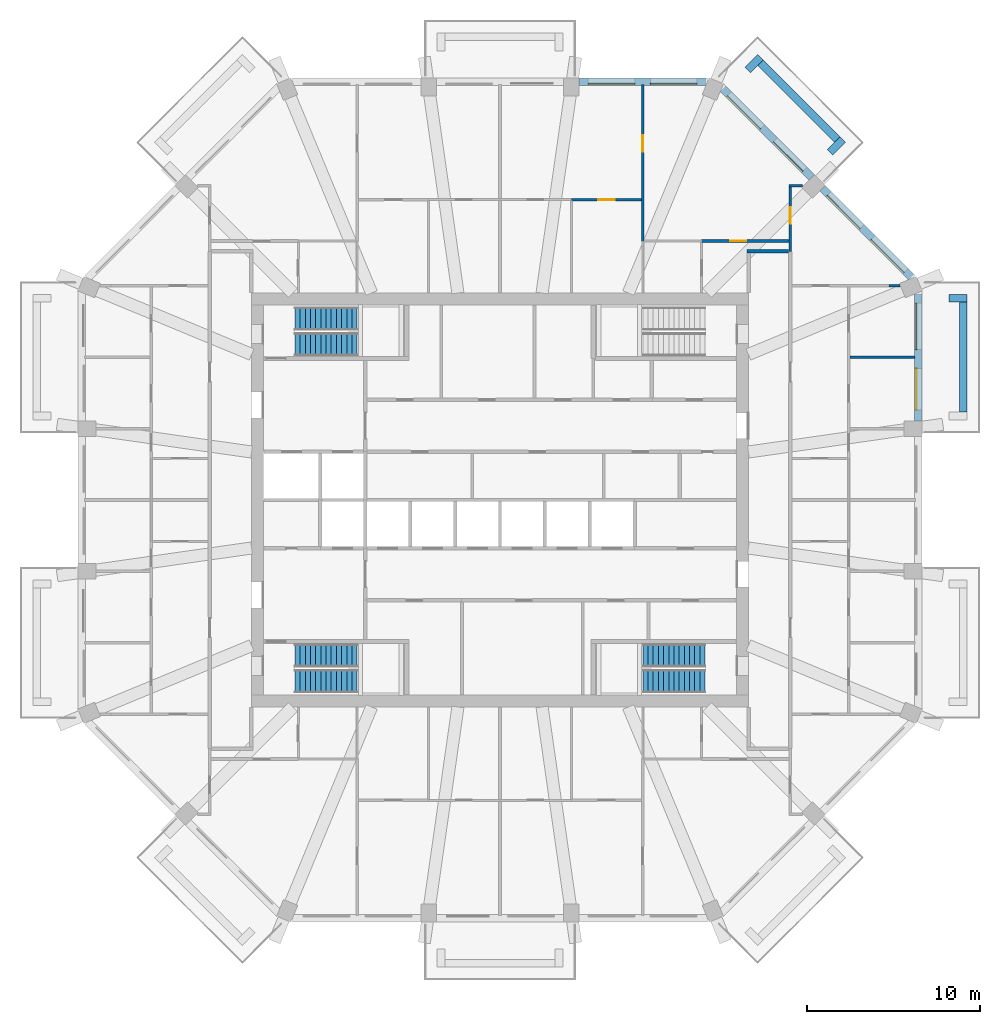
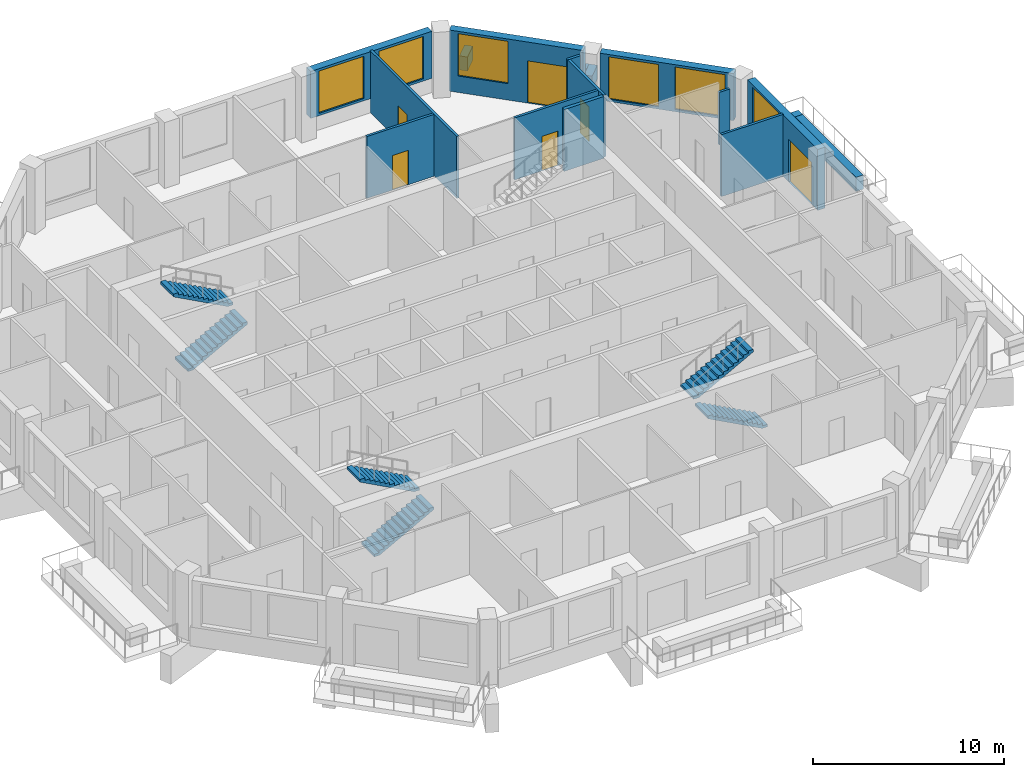
# One storey, part 9 of 12: 17 walls, 6 doors, 6 stair flights, 6 windows, 12 openings, 3 elements without a shape of their own.
"""IFC4 building model written with IfcOpenShell, lengths in metres."""

from ifc_helpers import new_model, si_unit, direction, frame, frame_2d, origin, place, context, subcontext, project, spatial, polyline, rectangle, outline, extrude, material, layer, layer_set, type_object, element, fill, aggregate, save


model = new_model("IFC4")

# Units and contexts
model_context = context("Model", 3, precision=1e-05, world=origin(), true_north=direction((0.0, 1.0)))
body_context = subcontext(model_context, "Body", "Model", "MODEL_VIEW")
ifc_project = project(units=[si_unit("LENGTHUNIT", "METRE"), si_unit("AREAUNIT", "SQUARE_METRE"), si_unit("VOLUMEUNIT", "CUBIC_METRE"), si_unit("PLANEANGLEUNIT", "RADIAN"), si_unit("MASSUNIT", "GRAM", prefix="KILO")], contexts=[model_context])

# Site, building, storey
site_placement = place(None, origin())
site = spatial("IfcSite", under=ifc_project, at=site_placement, CompositionType="ELEMENT")
building_placement = place(site_placement, origin())
building = spatial("IfcBuilding", under=site, at=building_placement, Name="Msitu Wima Residences", CompositionType="ELEMENT")
storey_placement = place(building_placement, frame((0.0, 0.0, 162.300048828125)))
storey = spatial("IfcBuildingStorey", under=building, at=storey_placement, Name="L37", CompositionType="ELEMENT", Elevation=162.300048828125)

# Walls
ifc_material_1 = material(Name="Facing brick")
ifc_layer_1 = layer(ifc_material_1, 0.06494140625, Name="Facing brick")
ifc_material_2 = material(Name="Concrete C40/50", Category="concrete")
ifc_layer_2 = layer(ifc_material_2, 0.156005859375, Name="Concrete C40/50")
ifc_material_3 = material(Name="Waterproofing membrane")
ifc_layer_3 = layer(ifc_material_3, 0.00390625, Name="Waterproofing membrane")
ifc_material_4 = material(Name="Planting soil and planting")
ifc_layer_4 = layer(ifc_material_4, 0.22509765625, Name="Planting soil and planting")
ifc_layer_set_1 = layer_set([ifc_layer_1, ifc_layer_2, ifc_layer_3, ifc_layer_4], Name="Concrete C40/50")
wall_type_1 = type_object("IfcWallType", Name="Balcony planter PLANTER PL450", PredefinedType="USERDEFINED", material=ifc_layer_set_1)
wall_1_placement = place(storey_placement, frame((26.824951171875, 5.087158203125, 0.0), z_axis=(0.0, 0.0, 1.0), x_axis=(0.0, 1.0, 0.0)))
element("IfcWall", 1, at=wall_1_placement, inside=storey, type_object=wall_type_1, Name="Balcony planter E2 L37", ObjectType="PLANTER", PredefinedType="USERDEFINED", context=body_context, shape_type="SweptSolid", body=[
    extrude(rectangle(XDim=6.37451171875, YDim=0.449951171875, at=frame_2d((3.187255859375, 0.0))), origin(), (0.0, 0.0, 1.0), 0.89990234375),
])
wall_2_placement = place(storey_placement, frame((26.0, 11.686767578125, 0.0), z_axis=(0.0, 0.0, 1.0), x_axis=(1.0, 0.0, 0.0)))
element("IfcWall", 2, at=wall_2_placement, inside=storey, type_object=wall_type_1, Name="Balcony planter E2 L37", ObjectType="PLANTER", PredefinedType="USERDEFINED", context=body_context, shape_type="SweptSolid", body=[
    extrude(rectangle(XDim=1.050048828125, YDim=0.449951171875, at=frame_2d((0.52490234375, 0.0))), origin(), (0.0, 0.0, 1.0), 0.89990234375),
])
wall_3_placement = place(storey_placement, frame((19.53173828125, 20.875244140625, 0.0), z_axis=(0.0, 0.0, 1.0), x_axis=(-0.707106781187, 0.707106781187, 0.0)))
element("IfcWall", 3, at=wall_3_placement, inside=storey, type_object=wall_type_1, Name="Balcony planter NE1 L37", ObjectType="PLANTER", PredefinedType="USERDEFINED", context=body_context, shape_type="SweptSolid", body=[
    extrude(rectangle(XDim=6.294189453125, YDim=0.449951171875, at=frame_2d((3.14697265625, 0.0))), origin(), (0.0, 0.0, 1.0), 0.89990234375),
])
for number, where, z_axis, x_axis, name in (
    (4, (19.107421875, 20.1328125, 0.0), (0.0, 0.0, 1.0), (0.707106781187, 0.707106781187, 0.0), "Balcony planter NE1 L37"),
    (5, (14.338623046875, 24.901611328125, 0.0), (0.0, 0.0, 1.0), (0.707106781187, 0.707106781187, 0.0), "Balcony planter NE1 L37"),
):
    element("IfcWall", number, at=place(storey_placement, frame(where, z_axis=z_axis, x_axis=x_axis)), inside=storey, type_object=wall_type_1, Name=name, ObjectType="PLANTER", PredefinedType="USERDEFINED", context=body_context, shape_type="SweptSolid", body=[
        extrude(rectangle(XDim=1.050048828125, YDim=0.449951171875, at=frame_2d((0.52490234375, 0.0))), origin(), (0.0, 0.0, 1.0), 0.89990234375),
    ])

# Wall, openings, door, window
ifc_material_5 = material(Name="Brick (red buff mix)", Category="masonry")
ifc_layer_5 = layer(ifc_material_5, 0.449951171875)
ifc_layer_set_2 = layer_set([ifc_layer_5], Name="Brick (red buff mix)")
wall_type_2 = type_object("IfcWallType", Name="Brick infill wall BW450", PredefinedType="SOLIDWALL", material=ifc_layer_set_2)
wall_4_placement = place(storey_placement, frame((24.22509765625, 4.587158203125, 0.0), z_axis=(0.0, 0.0, 1.0), x_axis=(0.0, 1.0, 0.0)))
wall_4 = element("IfcWall", 6, at=wall_4_placement, inside=storey, type_object=wall_type_2, Name="Brick infill wall L37 E2", PredefinedType="SOLIDWALL", context=body_context, shape_type="SweptSolid", body=[
    extrude(rectangle(XDim=7.337646484375, YDim=0.449951171875, at=frame_2d((3.6689453125, 0.0))), origin(), (0.0, 0.0, 1.0), 3.89990234375),
])
opening_1_placement = place(wall_4_placement, frame((0.63427734375, 0.0, 0.0)))
opening_1 = element("IfcOpeningElement", 7, at=opening_1_placement, cuts=wall_4, Name="Opening D37.002", PredefinedType="OPENING", context=body_context, shape_type="SweptSolid", body=[
    extrude(rectangle(XDim=2.39990234375, YDim=2.699951171875, at=frame_2d((1.199951171875, 1.35009765625))), frame((0.0, 0.23486328125, 0.0), z_axis=(0.0, -1.0, 0.0), x_axis=(1.0, 0.0, 0.0)), (0.0, 0.0, 1.0), 0.469970703125),
])
opening_2_placement = place(wall_4_placement, frame((4.11865234375, 0.0, 1.050048828125)))
opening_2 = element("IfcOpeningElement", 8, at=opening_2_placement, cuts=wall_4, Name="Opening W37.004", PredefinedType="OPENING", context=body_context, shape_type="SweptSolid", body=[
    extrude(rectangle(XDim=2.699951171875, YDim=2.699951171875, at=frame_2d((1.35009765625, 1.35009765625))), frame((0.0, 0.23486328125, 0.0), z_axis=(0.0, -1.0, 0.0), x_axis=(1.0, 0.0, 0.0)), (0.0, 0.0, 1.0), 0.469970703125),
])
ifc_material_6 = material(Name="Anodised aluminium, bronze finish, clear low-emissivity double glazing", Category="aluminium")
door_type_1 = type_object("IfcDoorType", Name="Balcony door D2400x2700", OperationType="SLIDING_TO_LEFT", PredefinedType="DOOR", material=ifc_material_6)
door_1_placement = place(opening_1_placement, origin())
door_1 = element("IfcDoor", 9, at=door_1_placement, inside=storey, type_object=door_type_1, Name="Balcony door L37 E2", OperationType="SINGLE_SWING_LEFT", OverallHeight=2.699951171875, OverallWidth=2.39990234375, PredefinedType="DOOR", context=body_context, shape_type="SweptSolid", body=[
    extrude(rectangle(XDim=2.39990234375, YDim=2.699951171875, at=frame_2d((1.199951171875, 1.35009765625))), frame((0.0, 0.1298828125, 0.0), z_axis=(0.0, -1.0, 0.0), x_axis=(1.0, 0.0, 0.0)), (0.0, 0.0, 1.0), 0.050048828125),
])
fill(opening_1, door_1)
window_type = type_object("IfcWindowType", Name="Window W2700x2700", PartitioningType="DOUBLE_PANEL_VERTICAL", PredefinedType="WINDOW", material=ifc_material_6)
window_1_placement = place(opening_2_placement, origin())
window_1 = element("IfcWindow", 10, at=window_1_placement, inside=storey, type_object=window_type, Name="Window L37 E2.2", OverallHeight=2.699951171875, OverallWidth=2.699951171875, PartitioningType="SINGLE_PANEL", PredefinedType="WINDOW", context=body_context, shape_type="SweptSolid", body=[
    extrude(rectangle(XDim=2.699951171875, YDim=2.699951171875, at=frame_2d((1.35009765625, 1.35009765625))), frame((0.0, 0.135009765625, 0.0), z_axis=(0.0, -1.0, 0.0), x_axis=(1.0, 0.0, 0.0)), (0.0, 0.0, 1.0), 0.06005859375),
])
fill(opening_2, window_1)

# Wall, openings, windows
wall_5_placement = place(storey_placement, frame((23.814697265625, 12.915283203125, 0.89990234375), z_axis=(0.0, 0.0, 1.0), x_axis=(-0.707106781187, 0.707106781187, 0.0)))
wall_5 = element("IfcWall", 11, at=wall_5_placement, inside=storey, type_object=wall_type_2, Name="Brick infill wall L37 NE0", PredefinedType="SOLIDWALL", context=body_context, shape_type="SweptSolid", body=[
    extrude(rectangle(XDim=7.257080078125, YDim=0.449951171875, at=frame_2d((3.62841796875, 0.0))), origin(), (0.0, 0.0, 1.0), 3.0),
])
opening_3_placement = place(wall_5_placement, frame((0.478515625, 0.0, 0.14990234375)))
opening_3 = element("IfcOpeningElement", 12, at=opening_3_placement, cuts=wall_5, Name="Opening W37.010", PredefinedType="OPENING", context=body_context, shape_type="SweptSolid", body=[
    extrude(rectangle(XDim=2.699951171875, YDim=2.699951171875, at=frame_2d((1.35009765625, 1.35009765625))), frame((0.0, 0.23486328125, 0.0), z_axis=(0.0, -1.0, 0.0), x_axis=(1.0, 0.0, 0.0)), (0.0, 0.0, 1.0), 0.469970703125),
])
opening_4_placement = place(wall_5_placement, frame((4.07861328125, 0.0, 0.14990234375)))
opening_4 = element("IfcOpeningElement", 13, at=opening_4_placement, cuts=wall_5, Name="Opening W37.011", PredefinedType="OPENING", context=body_context, shape_type="SweptSolid", body=[
    extrude(rectangle(XDim=2.699951171875, YDim=2.699951171875, at=frame_2d((1.35009765625, 1.35009765625))), frame((0.0, 0.23486328125, 0.0), z_axis=(0.0, -1.0, 0.0), x_axis=(1.0, 0.0, 0.0)), (0.0, 0.0, 1.0), 0.469970703125),
])
window_2_placement = place(opening_3_placement, origin())
window_2 = element("IfcWindow", 14, at=window_2_placement, inside=storey, type_object=window_type, Name="Window L37 NE0.1", OverallHeight=2.699951171875, OverallWidth=2.699951171875, PartitioningType="SINGLE_PANEL", PredefinedType="WINDOW", context=body_context, shape_type="SweptSolid", body=[
    extrude(rectangle(XDim=2.699951171875, YDim=2.699951171875, at=frame_2d((1.35009765625, 1.35009765625))), frame((0.0, 0.135009765625, 0.0), z_axis=(0.0, -1.0, 0.0), x_axis=(1.0, 0.0, 0.0)), (0.0, 0.0, 1.0), 0.06005859375),
])
fill(opening_3, window_2)
window_3_placement = place(opening_4_placement, origin())
window_3 = element("IfcWindow", 15, at=window_3_placement, inside=storey, type_object=window_type, Name="Window L37 NE0.2", OverallHeight=2.699951171875, OverallWidth=2.699951171875, PartitioningType="SINGLE_PANEL", PredefinedType="WINDOW", context=body_context, shape_type="SweptSolid", body=[
    extrude(rectangle(XDim=2.699951171875, YDim=2.699951171875, at=frame_2d((1.35009765625, 1.35009765625))), frame((0.0, 0.135009765625, 0.0), z_axis=(0.0, -1.0, 0.0), x_axis=(1.0, 0.0, 0.0)), (0.0, 0.0, 1.0), 0.06005859375),
])
fill(opening_4, window_3)

# Wall, openings, door, window
wall_6_placement = place(storey_placement, frame((18.046875, 18.68310546875, 0.0), z_axis=(0.0, 0.0, 1.0), x_axis=(-0.707106781187, 0.707106781187, 0.0)))
wall_6 = element("IfcWall", 16, at=wall_6_placement, inside=storey, type_object=wall_type_2, Name="Brick infill wall L37 NE1", PredefinedType="SOLIDWALL", context=body_context, shape_type="SweptSolid", body=[
    extrude(rectangle(XDim=7.257080078125, YDim=0.449951171875, at=frame_2d((3.62841796875, 0.0))), origin(), (0.0, 0.0, 1.0), 3.89990234375),
])
opening_5_placement = place(wall_6_placement, frame((0.6142578125, 0.0, 0.0)))
opening_5 = element("IfcOpeningElement", 17, at=opening_5_placement, cuts=wall_6, Name="Opening D37.004", PredefinedType="OPENING", context=body_context, shape_type="SweptSolid", body=[
    extrude(rectangle(XDim=2.39990234375, YDim=2.699951171875, at=frame_2d((1.199951171875, 1.35009765625))), frame((0.0, 0.23486328125, 0.0), z_axis=(0.0, -1.0, 0.0), x_axis=(1.0, 0.0, 0.0)), (0.0, 0.0, 1.0), 0.469970703125),
])
opening_6_placement = place(wall_6_placement, frame((4.07861328125, 0.0, 1.050048828125)))
opening_6 = element("IfcOpeningElement", 18, at=opening_6_placement, cuts=wall_6, Name="Opening W37.012", PredefinedType="OPENING", context=body_context, shape_type="SweptSolid", body=[
    extrude(rectangle(XDim=2.699951171875, YDim=2.699951171875, at=frame_2d((1.35009765625, 1.35009765625))), frame((0.0, 0.23486328125, 0.0), z_axis=(0.0, -1.0, 0.0), x_axis=(1.0, 0.0, 0.0)), (0.0, 0.0, 1.0), 0.469970703125),
])
door_2_placement = place(opening_5_placement, origin())
door_2 = element("IfcDoor", 19, at=door_2_placement, inside=storey, type_object=door_type_1, Name="Balcony door L37 NE1", OperationType="SINGLE_SWING_LEFT", OverallHeight=2.699951171875, OverallWidth=2.39990234375, PredefinedType="DOOR", context=body_context, shape_type="SweptSolid", body=[
    extrude(rectangle(XDim=2.39990234375, YDim=2.699951171875, at=frame_2d((1.199951171875, 1.35009765625))), frame((0.0, 0.1298828125, 0.0), z_axis=(0.0, -1.0, 0.0), x_axis=(1.0, 0.0, 0.0)), (0.0, 0.0, 1.0), 0.050048828125),
])
fill(opening_5, door_2)
window_4_placement = place(opening_6_placement, origin())
window_4 = element("IfcWindow", 20, at=window_4_placement, inside=storey, type_object=window_type, Name="Window L37 NE1.2", OverallHeight=2.699951171875, OverallWidth=2.699951171875, PartitioningType="SINGLE_PANEL", PredefinedType="WINDOW", context=body_context, shape_type="SweptSolid", body=[
    extrude(rectangle(XDim=2.699951171875, YDim=2.699951171875, at=frame_2d((1.35009765625, 1.35009765625))), frame((0.0, 0.135009765625, 0.0), z_axis=(0.0, -1.0, 0.0), x_axis=(1.0, 0.0, 0.0)), (0.0, 0.0, 1.0), 0.06005859375),
])
fill(opening_6, window_4)

# Wall, openings, windows
wall_7_placement = place(storey_placement, frame((11.9248046875, 24.22509765625, 0.89990234375), z_axis=(0.0, 0.0, 1.0), x_axis=(-1.0, 0.0, 0.0)))
wall_7 = element("IfcWall", 21, at=wall_7_placement, inside=storey, type_object=wall_type_2, Name="Brick infill wall L37 N0", PredefinedType="SOLIDWALL", context=body_context, shape_type="SweptSolid", body=[
    extrude(rectangle(XDim=7.337646484375, YDim=0.449951171875, at=frame_2d((3.6689453125, 0.0))), origin(), (0.0, 0.0, 1.0), 3.0),
])
opening_7_placement = place(wall_7_placement, frame((0.518798828125, 0.0, 0.14990234375)))
opening_7 = element("IfcOpeningElement", 22, at=opening_7_placement, cuts=wall_7, Name="Opening W37.005", PredefinedType="OPENING", context=body_context, shape_type="SweptSolid", body=[
    extrude(rectangle(XDim=2.699951171875, YDim=2.699951171875, at=frame_2d((1.35009765625, 1.35009765625))), frame((0.0, 0.23486328125, 0.0), z_axis=(0.0, -1.0, 0.0), x_axis=(1.0, 0.0, 0.0)), (0.0, 0.0, 1.0), 0.469970703125),
])
opening_8_placement = place(wall_7_placement, frame((4.11865234375, 0.0, 0.14990234375)))
opening_8 = element("IfcOpeningElement", 23, at=opening_8_placement, cuts=wall_7, Name="Opening W37.006", PredefinedType="OPENING", context=body_context, shape_type="SweptSolid", body=[
    extrude(rectangle(XDim=2.699951171875, YDim=2.699951171875, at=frame_2d((1.35009765625, 1.35009765625))), frame((0.0, 0.23486328125, 0.0), z_axis=(0.0, -1.0, 0.0), x_axis=(1.0, 0.0, 0.0)), (0.0, 0.0, 1.0), 0.469970703125),
])
window_5_placement = place(opening_7_placement, origin())
window_5 = element("IfcWindow", 24, at=window_5_placement, inside=storey, type_object=window_type, Name="Window L37 N0.1", OverallHeight=2.699951171875, OverallWidth=2.699951171875, PartitioningType="SINGLE_PANEL", PredefinedType="WINDOW", context=body_context, shape_type="SweptSolid", body=[
    extrude(rectangle(XDim=2.699951171875, YDim=2.699951171875, at=frame_2d((1.35009765625, 1.35009765625))), frame((0.0, 0.135009765625, 0.0), z_axis=(0.0, -1.0, 0.0), x_axis=(1.0, 0.0, 0.0)), (0.0, 0.0, 1.0), 0.06005859375),
])
fill(opening_7, window_5)
window_6_placement = place(opening_8_placement, origin())
window_6 = element("IfcWindow", 25, at=window_6_placement, inside=storey, type_object=window_type, Name="Window L37 N0.2", OverallHeight=2.699951171875, OverallWidth=2.699951171875, PartitioningType="SINGLE_PANEL", PredefinedType="WINDOW", context=body_context, shape_type="SweptSolid", body=[
    extrude(rectangle(XDim=2.699951171875, YDim=2.699951171875, at=frame_2d((1.35009765625, 1.35009765625))), frame((0.0, 0.135009765625, 0.0), z_axis=(0.0, -1.0, 0.0), x_axis=(1.0, 0.0, 0.0)), (0.0, 0.0, 1.0), 0.06005859375),
])
fill(opening_8, window_6)

# Wall
ifc_material_7 = material(Name="Plaster")
ifc_layer_6 = layer(ifc_material_7, 0.011962890625, Name="Plaster")
ifc_material_8 = material(Name="Concrete blockwork", Category="masonry")
ifc_layer_7 = layer(ifc_material_8, 0.176025390625, Name="Concrete blockwork")
ifc_layer_8 = layer(ifc_material_7, 0.011962890625, Name="Plaster")
ifc_layer_set_3 = layer_set([ifc_layer_6, ifc_layer_7, ifc_layer_8], Name="Concrete blockwork")
wall_type_3 = type_object("IfcWallType", Name="Corridor wall FW200", PredefinedType="PARTITIONING", material=ifc_layer_set_3)
wall_8_placement = place(storey_placement, frame((14.300048828125, 14.39990234375, 0.0), z_axis=(0.0, 0.0, 1.0), x_axis=(1.0, 0.0, 0.0)))
element("IfcWall", 26, at=wall_8_placement, inside=storey, type_object=wall_type_3, Name="Corridor wall", PredefinedType="PARTITIONING", context=body_context, shape_type="SweptSolid", body=[
    extrude(rectangle(XDim=2.39990234375, YDim=0.199951171875, at=frame_2d((1.199951171875, 0.0))), origin(), (0.0, 0.0, 1.0), 3.949951171875),
])

# Wall, opening, door
ifc_layer_9 = layer(ifc_material_7, 0.011962890625, Name="Plaster")
ifc_layer_10 = layer(ifc_material_8, 0.1259765625, Name="Concrete blockwork")
ifc_layer_11 = layer(ifc_material_7, 0.011962890625, Name="Plaster")
ifc_layer_set_4 = layer_set([ifc_layer_9, ifc_layer_10, ifc_layer_11], Name="Concrete blockwork")
wall_type_4 = type_object("IfcWallType", Name="Partition PW150", PredefinedType="PARTITIONING", material=ifc_layer_set_4)
wall_9_placement = place(storey_placement, frame((4.13720703125, 17.39990234375, 0.0), z_axis=(0.0, 0.0, 1.0), x_axis=(1.0, 0.0, 0.0)))
wall_9 = element("IfcWall", 27, at=wall_9_placement, inside=storey, type_object=wall_type_4, Name="Partition", PredefinedType="PARTITIONING", context=body_context, shape_type="SweptSolid", body=[
    extrude(rectangle(XDim=4.062255859375, YDim=0.14990234375, at=frame_2d((2.03125, 0.0))), origin(), (0.0, 0.0, 1.0), 3.949951171875),
])
opening_9_placement = place(wall_9_placement, frame((1.550048828125, 0.0, 0.0)))
opening_9 = element("IfcOpeningElement", 28, at=opening_9_placement, cuts=wall_9, Name="Opening D37.013", PredefinedType="OPENING", context=body_context, shape_type="SweptSolid", body=[
    extrude(rectangle(XDim=0.949951171875, YDim=2.199951171875, at=frame_2d((0.47509765625, 1.10009765625))), frame((0.0, 0.0849609375, 0.0), z_axis=(0.0, -1.0, 0.0), x_axis=(1.0, 0.0, 0.0)), (0.0, 0.0, 1.0), 0.169921875),
])
ifc_material_9 = material(Name="Timber flush door", Category="wood")
door_type_2 = type_object("IfcDoorType", Name="Room door D12 950x2200", OperationType="SINGLE_SWING_LEFT", PredefinedType="DOOR", material=ifc_material_9)
door_3_placement = place(opening_9_placement, origin())
door_3 = element("IfcDoor", 29, at=door_3_placement, inside=storey, type_object=door_type_2, Name="Room door", OperationType="SINGLE_SWING_RIGHT", OverallHeight=2.199951171875, OverallWidth=0.949951171875, PredefinedType="DOOR", context=body_context, shape_type="SweptSolid", body=[
    extrude(rectangle(XDim=0.949951171875, YDim=2.199951171875, at=frame_2d((0.47509765625, 1.10009765625))), frame((0.0, 0.02490234375, 0.0), z_axis=(0.0, -1.0, 0.0), x_axis=(1.0, 0.0, 0.0)), (0.0, 0.0, 1.0), 0.050048828125),
])
fill(opening_9, door_3)

wall_10_placement = place(storey_placement, frame((8.2744140625, 14.97998046875, 0.0), z_axis=(0.0, 0.0, 1.0), x_axis=(0.0, 1.0, 0.0)))
wall_10 = element("IfcWall", 30, at=wall_10_placement, inside=storey, type_object=wall_type_4, Name="Partition", PredefinedType="PARTITIONING", context=body_context, shape_type="SweptSolid", body=[
    extrude(rectangle(XDim=9.074951171875, YDim=0.14990234375, at=frame_2d((4.53759765625, 0.0))), origin(), (0.0, 0.0, 1.0), 3.949951171875),
])
opening_10_placement = place(wall_10_placement, frame((5.199951171875, 0.0, 0.0)))
opening_10 = element("IfcOpeningElement", 31, at=opening_10_placement, cuts=wall_10, Name="Opening D37.020", PredefinedType="OPENING", context=body_context, shape_type="SweptSolid", body=[
    extrude(rectangle(XDim=0.949951171875, YDim=2.199951171875, at=frame_2d((0.47509765625, 1.10009765625))), frame((0.0, 0.0849609375, 0.0), z_axis=(0.0, -1.0, 0.0), x_axis=(1.0, 0.0, 0.0)), (0.0, 0.0, 1.0), 0.169921875),
])
door_4_placement = place(opening_10_placement, origin())
door_4 = element("IfcDoor", 32, at=door_4_placement, inside=storey, type_object=door_type_2, Name="Room door", OperationType="SINGLE_SWING_LEFT", OverallHeight=2.199951171875, OverallWidth=0.949951171875, PredefinedType="DOOR", context=body_context, shape_type="SweptSolid", body=[
    extrude(rectangle(XDim=0.949951171875, YDim=2.199951171875, at=frame_2d((0.47509765625, 1.10009765625))), frame((0.0, 0.02490234375, 0.0), z_axis=(0.0, -1.0, 0.0), x_axis=(1.0, 0.0, 0.0)), (0.0, 0.0, 1.0), 0.050048828125),
])
fill(opening_10, door_4)

wall_11_placement = place(storey_placement, frame((11.674560546875, 15.0, 0.0), z_axis=(0.0, 0.0, 1.0), x_axis=(1.0, 0.0, 0.0)))
wall_11 = element("IfcWall", 33, at=wall_11_placement, inside=storey, type_object=wall_type_4, Name="Partition", PredefinedType="PARTITIONING", context=body_context, shape_type="SweptSolid", body=[
    extrude(rectangle(XDim=5.050537109375, YDim=0.14990234375, at=frame_2d((2.525390625, 0.0))), origin(), (0.0, 0.0, 1.0), 3.949951171875),
])
opening_11_placement = place(wall_11_placement, frame((1.64990234375, 0.0, 0.0)))
opening_11 = element("IfcOpeningElement", 34, at=opening_11_placement, cuts=wall_11, Name="Opening D37.021", PredefinedType="OPENING", context=body_context, shape_type="SweptSolid", body=[
    extrude(rectangle(XDim=0.949951171875, YDim=2.199951171875, at=frame_2d((0.47509765625, 1.10009765625))), frame((0.0, 0.0849609375, 0.0), z_axis=(0.0, -1.0, 0.0), x_axis=(1.0, 0.0, 0.0)), (0.0, 0.0, 1.0), 0.169921875),
])
door_5_placement = place(opening_11_placement, origin())
door_5 = element("IfcDoor", 35, at=door_5_placement, inside=storey, type_object=door_type_2, Name="Room door", OperationType="SINGLE_SWING_RIGHT", OverallHeight=2.199951171875, OverallWidth=0.949951171875, PredefinedType="DOOR", context=body_context, shape_type="SweptSolid", body=[
    extrude(rectangle(XDim=0.949951171875, YDim=2.199951171875, at=frame_2d((0.47509765625, 1.10009765625))), frame((0.0, 0.02490234375, 0.0), z_axis=(0.0, -1.0, 0.0), x_axis=(1.0, 0.0, 0.0)), (0.0, 0.0, 1.0), 0.050048828125),
])
fill(opening_11, door_5)

# Wall
wall_12_placement = place(storey_placement, frame((22.538330078125, 12.411865234375, 0.0), z_axis=(0.0, 0.0, 1.0), x_axis=(1.0, 0.0, 0.0)))
element("IfcWall", 36, at=wall_12_placement, inside=storey, type_object=wall_type_4, Name="Partition", PredefinedType="PARTITIONING", context=body_context, shape_type="SweptSolid", body=[
    extrude(rectangle(XDim=0.630615234375, YDim=0.14990234375, at=frame_2d((0.3154296875, 0.0))), origin(), (0.0, 0.0, 1.0), 3.349853515625),
])

# Wall, opening, door
wall_13_placement = place(storey_placement, frame((16.800048828125, 14.39990234375, 0.0), z_axis=(0.0, 0.0, 1.0), x_axis=(0.0, 1.0, 0.0)))
wall_13 = element("IfcWall", 37, at=wall_13_placement, inside=storey, type_object=wall_type_4, Name="Partition", PredefinedType="PARTITIONING", context=body_context, shape_type="SweptSolid", body=[
    extrude(rectangle(XDim=3.73095703125, YDim=0.14990234375, at=frame_2d((1.865478515625, 0.0))), origin(), (0.0, 0.0, 1.0), 3.949951171875),
])
opening_12_placement = place(wall_13_placement, frame((1.60009765625, 0.0, 0.0)))
opening_12 = element("IfcOpeningElement", 38, at=opening_12_placement, cuts=wall_13, Name="Opening D37.019", PredefinedType="OPENING", context=body_context, shape_type="SweptSolid", body=[
    extrude(rectangle(XDim=0.949951171875, YDim=2.199951171875, at=frame_2d((0.47509765625, 1.10009765625))), frame((0.0, 0.0849609375, 0.0), z_axis=(0.0, -1.0, 0.0), x_axis=(1.0, 0.0, 0.0)), (0.0, 0.0, 1.0), 0.169921875),
])
door_6_placement = place(opening_12_placement, origin())
door_6 = element("IfcDoor", 39, at=door_6_placement, inside=storey, type_object=door_type_2, Name="Room door", OperationType="SINGLE_SWING_LEFT", OverallHeight=2.199951171875, OverallWidth=0.949951171875, PredefinedType="DOOR", context=body_context, shape_type="SweptSolid", body=[
    extrude(rectangle(XDim=0.949951171875, YDim=2.199951171875, at=frame_2d((0.47509765625, 1.10009765625))), frame((0.0, 0.02490234375, 0.0), z_axis=(0.0, -1.0, 0.0), x_axis=(1.0, 0.0, 0.0)), (0.0, 0.0, 1.0), 0.050048828125),
])
fill(opening_12, door_6)

# Walls
wall_14_placement = place(storey_placement, frame((16.72509765625, 18.205810546875, 0.0), z_axis=(0.0, 0.0, 1.0), x_axis=(1.0, 0.0, 0.0)))
element("IfcWall", 40, at=wall_14_placement, inside=storey, type_object=wall_type_4, Name="Partition", PredefinedType="PARTITIONING", context=body_context, shape_type="SweptSolid", body=[
    extrude(rectangle(XDim=0.784423828125, YDim=0.14990234375, at=frame_2d((0.39208984375, 0.0))), origin(), (0.0, 0.0, 1.0), 3.949951171875),
])
wall_15_placement = place(storey_placement, frame((20.27490234375, 8.2744140625, 0.0), z_axis=(0.0, 0.0, 1.0), x_axis=(1.0, 0.0, 0.0)))
element("IfcWall", 41, at=wall_15_placement, inside=storey, type_object=wall_type_4, Name="Partition", PredefinedType="PARTITIONING", context=body_context, shape_type="SweptSolid", body=[
    extrude(rectangle(XDim=3.75, YDim=0.14990234375, at=frame_2d((1.875, 0.0))), origin(), (0.0, 0.0, 1.0), 3.949951171875),
])

# Stair, stair flights
stair_type = type_object("IfcStairType", Name="Exit stair ES1615-135", PredefinedType="HALF_TURN_STAIR", material=ifc_material_2)
stair_1_placement = place(storey_placement, origin())
stair_1 = element("IfcStair", 42, at=stair_1_placement, inside=storey, type_object=stair_type, Name="Exit stair 1", PredefinedType="HALF_TURN_STAIR")
stair_flight_type = type_object("IfcStairFlightType", Name="Exit stair flight ES1615-135", PredefinedType="STRAIGHT", material=ifc_material_2)
stair_flight_1_placement = place(storey_placement, frame((-11.875, 9.0, 0.0), z_axis=(0.0, 0.0, 1.0), x_axis=(1.0, 0.0, 0.0)))
stair_flight_1 = element("IfcStairFlight", 43, at=stair_flight_1_placement, type_object=stair_flight_type, Name="S1 flight 1", NumberOfRisers=13, NumberOfTreads=12, PredefinedType="STRAIGHT", RiserHeight=0.161538462, TreadLength=0.3, context=body_context, shape_type="SweptSolid", body=[
    extrude(outline(polyline([(0.0, 0.0), (0.0, 0.16162109375), (0.300048828125, 0.16162109375), (0.300048828125, 0.322998046875), (0.60009765625, 0.322998046875), (0.60009765625, 0.484619140625), (0.89990234375, 0.484619140625), (0.89990234375, 0.646240234375), (1.199951171875, 0.646240234375), (1.199951171875, 0.8076171875), (1.5, 0.8076171875), (1.5, 0.96923828125), (1.800048828125, 0.96923828125), (1.800048828125, 1.130859375), (2.10009765625, 1.130859375), (2.10009765625, 1.292236328125), (2.39990234375, 1.292236328125), (2.39990234375, 1.453857421875), (2.699951171875, 1.453857421875), (2.699951171875, 1.615478515625), (3.0, 1.615478515625), (3.0, 1.77685546875), (3.300048828125, 1.77685546875), (3.300048828125, 1.9384765625), (3.60009765625, 1.9384765625), (3.60009765625, 2.10009765625), (3.60009765625, 1.768310546875), (0.316162109375, 0.0), (0.0, 0.0)])), frame((0.0, 0.675048828125, 0.0), z_axis=(0.0, -1.0, 0.0), x_axis=(1.0, 0.0, 0.0)), (0.0, 0.0, 1.0), 1.35009765625),
])
stair_flight_2_placement = place(storey_placement, frame((-8.27490234375, 10.5, 2.099853515625), z_axis=(0.0, 0.0, 1.0), x_axis=(-1.0, 0.0, 0.0)))
stair_flight_2 = element("IfcStairFlight", 44, at=stair_flight_2_placement, type_object=stair_flight_type, Name="S1 flight 2", NumberOfRisers=13, NumberOfTreads=12, PredefinedType="STRAIGHT", RiserHeight=0.161538462, TreadLength=0.3, context=body_context, shape_type="SweptSolid", body=[
    extrude(outline(polyline([(0.0, 0.0), (0.0, 0.16162109375), (0.300048828125, 0.16162109375), (0.300048828125, 0.322998046875), (0.60009765625, 0.322998046875), (0.60009765625, 0.484619140625), (0.89990234375, 0.484619140625), (0.89990234375, 0.646240234375), (1.199951171875, 0.646240234375), (1.199951171875, 0.8076171875), (1.5, 0.8076171875), (1.5, 0.96923828125), (1.800048828125, 0.96923828125), (1.800048828125, 1.130859375), (2.10009765625, 1.130859375), (2.10009765625, 1.292236328125), (2.39990234375, 1.292236328125), (2.39990234375, 1.453857421875), (2.699951171875, 1.453857421875), (2.699951171875, 1.615478515625), (3.0, 1.615478515625), (3.0, 1.77685546875), (3.300048828125, 1.77685546875), (3.300048828125, 1.9384765625), (3.60009765625, 1.9384765625), (3.60009765625, 2.10009765625), (3.60009765625, 1.768310546875), (0.316162109375, 0.0), (0.0, 0.0)])), frame((0.0, 0.675048828125, 0.0), z_axis=(0.0, -1.0, 0.0), x_axis=(1.0, 0.0, 0.0)), (0.0, 0.0, 1.0), 1.35009765625),
])
aggregate(stair_1, [stair_flight_1, stair_flight_2])

stair_2_placement = place(storey_placement, origin())
stair_2 = element("IfcStair", 45, at=stair_2_placement, inside=storey, type_object=stair_type, Name="Exit stair 2", PredefinedType="HALF_TURN_STAIR")
stair_flight_3_placement = place(storey_placement, frame((-11.875, -10.5, 0.0), z_axis=(0.0, 0.0, 1.0), x_axis=(1.0, 0.0, 0.0)))
stair_flight_3 = element("IfcStairFlight", 46, at=stair_flight_3_placement, type_object=stair_flight_type, Name="S2 flight 1", NumberOfRisers=13, NumberOfTreads=12, PredefinedType="STRAIGHT", RiserHeight=0.161538462, TreadLength=0.3, context=body_context, shape_type="SweptSolid", body=[
    extrude(outline(polyline([(0.0, 0.0), (0.0, 0.16162109375), (0.300048828125, 0.16162109375), (0.300048828125, 0.322998046875), (0.60009765625, 0.322998046875), (0.60009765625, 0.484619140625), (0.89990234375, 0.484619140625), (0.89990234375, 0.646240234375), (1.199951171875, 0.646240234375), (1.199951171875, 0.8076171875), (1.5, 0.8076171875), (1.5, 0.96923828125), (1.800048828125, 0.96923828125), (1.800048828125, 1.130859375), (2.10009765625, 1.130859375), (2.10009765625, 1.292236328125), (2.39990234375, 1.292236328125), (2.39990234375, 1.453857421875), (2.699951171875, 1.453857421875), (2.699951171875, 1.615478515625), (3.0, 1.615478515625), (3.0, 1.77685546875), (3.300048828125, 1.77685546875), (3.300048828125, 1.9384765625), (3.60009765625, 1.9384765625), (3.60009765625, 2.10009765625), (3.60009765625, 1.768310546875), (0.316162109375, 0.0), (0.0, 0.0)])), frame((0.0, 0.675048828125, 0.0), z_axis=(0.0, -1.0, 0.0), x_axis=(1.0, 0.0, 0.0)), (0.0, 0.0, 1.0), 1.35009765625),
])
stair_flight_4_placement = place(storey_placement, frame((-8.27490234375, -9.0, 2.099853515625), z_axis=(0.0, 0.0, 1.0), x_axis=(-1.0, 0.0, 0.0)))
stair_flight_4 = element("IfcStairFlight", 47, at=stair_flight_4_placement, type_object=stair_flight_type, Name="S2 flight 2", NumberOfRisers=13, NumberOfTreads=12, PredefinedType="STRAIGHT", RiserHeight=0.161538462, TreadLength=0.3, context=body_context, shape_type="SweptSolid", body=[
    extrude(outline(polyline([(0.0, 0.0), (0.0, 0.16162109375), (0.300048828125, 0.16162109375), (0.300048828125, 0.322998046875), (0.60009765625, 0.322998046875), (0.60009765625, 0.484619140625), (0.89990234375, 0.484619140625), (0.89990234375, 0.646240234375), (1.199951171875, 0.646240234375), (1.199951171875, 0.8076171875), (1.5, 0.8076171875), (1.5, 0.96923828125), (1.800048828125, 0.96923828125), (1.800048828125, 1.130859375), (2.10009765625, 1.130859375), (2.10009765625, 1.292236328125), (2.39990234375, 1.292236328125), (2.39990234375, 1.453857421875), (2.699951171875, 1.453857421875), (2.699951171875, 1.615478515625), (3.0, 1.615478515625), (3.0, 1.77685546875), (3.300048828125, 1.77685546875), (3.300048828125, 1.9384765625), (3.60009765625, 1.9384765625), (3.60009765625, 2.10009765625), (3.60009765625, 1.768310546875), (0.316162109375, 0.0), (0.0, 0.0)])), frame((0.0, 0.675048828125, 0.0), z_axis=(0.0, -1.0, 0.0), x_axis=(1.0, 0.0, 0.0)), (0.0, 0.0, 1.0), 1.35009765625),
])
aggregate(stair_2, [stair_flight_3, stair_flight_4])

stair_3_placement = place(storey_placement, origin())
stair_3 = element("IfcStair", 48, at=stair_3_placement, inside=storey, type_object=stair_type, Name="Exit stair 4", PredefinedType="HALF_TURN_STAIR")
stair_flight_5_placement = place(storey_placement, frame((11.875, -10.5, 0.0), z_axis=(0.0, 0.0, 1.0), x_axis=(-1.0, 0.0, 0.0)))
stair_flight_5 = element("IfcStairFlight", 49, at=stair_flight_5_placement, type_object=stair_flight_type, Name="S4 flight 1", NumberOfRisers=13, NumberOfTreads=12, PredefinedType="STRAIGHT", RiserHeight=0.161538462, TreadLength=0.3, context=body_context, shape_type="SweptSolid", body=[
    extrude(outline(polyline([(0.0, 0.0), (0.0, 0.16162109375), (0.300048828125, 0.16162109375), (0.300048828125, 0.322998046875), (0.60009765625, 0.322998046875), (0.60009765625, 0.484619140625), (0.89990234375, 0.484619140625), (0.89990234375, 0.646240234375), (1.199951171875, 0.646240234375), (1.199951171875, 0.8076171875), (1.5, 0.8076171875), (1.5, 0.96923828125), (1.800048828125, 0.96923828125), (1.800048828125, 1.130859375), (2.10009765625, 1.130859375), (2.10009765625, 1.292236328125), (2.39990234375, 1.292236328125), (2.39990234375, 1.453857421875), (2.699951171875, 1.453857421875), (2.699951171875, 1.615478515625), (3.0, 1.615478515625), (3.0, 1.77685546875), (3.300048828125, 1.77685546875), (3.300048828125, 1.9384765625), (3.60009765625, 1.9384765625), (3.60009765625, 2.10009765625), (3.60009765625, 1.768310546875), (0.316162109375, 0.0), (0.0, 0.0)])), frame((0.0, 0.675048828125, 0.0), z_axis=(0.0, -1.0, 0.0), x_axis=(1.0, 0.0, 0.0)), (0.0, 0.0, 1.0), 1.35009765625),
])
stair_flight_6_placement = place(storey_placement, frame((8.27490234375, -9.0, 2.099853515625), z_axis=(0.0, 0.0, 1.0), x_axis=(1.0, 0.0, 0.0)))
stair_flight_6 = element("IfcStairFlight", 50, at=stair_flight_6_placement, type_object=stair_flight_type, Name="S4 flight 2", NumberOfRisers=13, NumberOfTreads=12, PredefinedType="STRAIGHT", RiserHeight=0.161538462, TreadLength=0.3, context=body_context, shape_type="SweptSolid", body=[
    extrude(outline(polyline([(0.0, 0.0), (0.0, 0.16162109375), (0.300048828125, 0.16162109375), (0.300048828125, 0.322998046875), (0.60009765625, 0.322998046875), (0.60009765625, 0.484619140625), (0.89990234375, 0.484619140625), (0.89990234375, 0.646240234375), (1.199951171875, 0.646240234375), (1.199951171875, 0.8076171875), (1.5, 0.8076171875), (1.5, 0.96923828125), (1.800048828125, 0.96923828125), (1.800048828125, 1.130859375), (2.10009765625, 1.130859375), (2.10009765625, 1.292236328125), (2.39990234375, 1.292236328125), (2.39990234375, 1.453857421875), (2.699951171875, 1.453857421875), (2.699951171875, 1.615478515625), (3.0, 1.615478515625), (3.0, 1.77685546875), (3.300048828125, 1.77685546875), (3.300048828125, 1.9384765625), (3.60009765625, 1.9384765625), (3.60009765625, 2.10009765625), (3.60009765625, 1.768310546875), (0.316162109375, 0.0), (0.0, 0.0)])), frame((0.0, 0.675048828125, 0.0), z_axis=(0.0, -1.0, 0.0), x_axis=(1.0, 0.0, 0.0)), (0.0, 0.0, 1.0), 1.35009765625),
])
aggregate(stair_3, [stair_flight_5, stair_flight_6])

save(model, "model.ifc")
